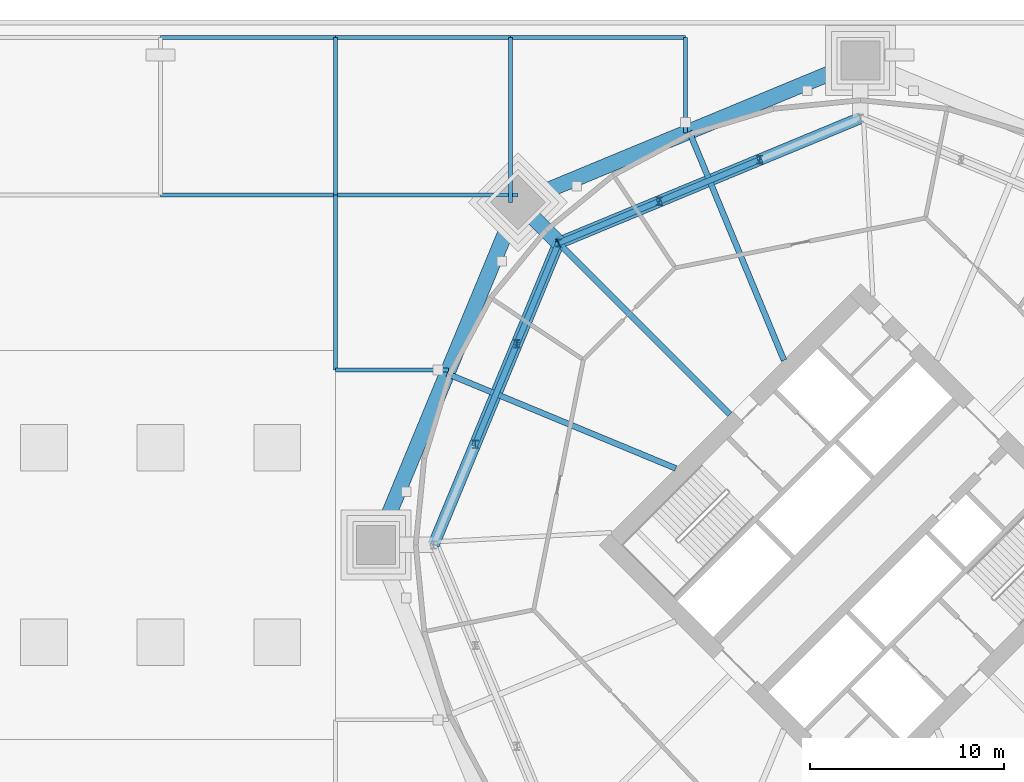
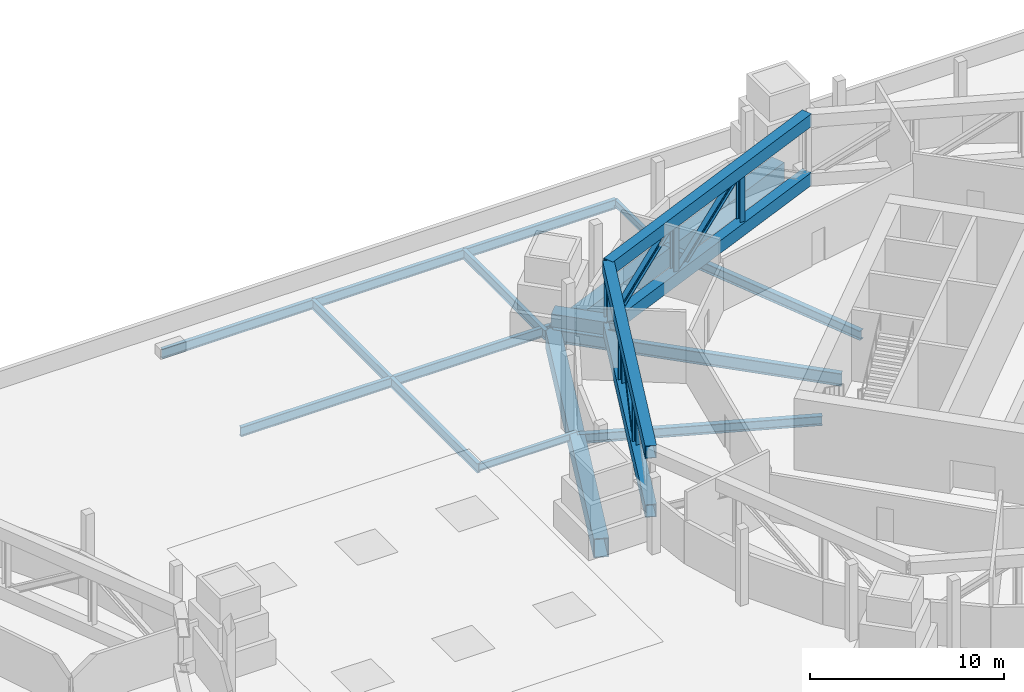
# One storey, part 8 of 21: 16 beams, 13 members.
"""IFC4 building model written with IfcOpenShell, lengths in metres."""

import ifcopenshell
import ifcopenshell.guid

model = None  # the IFC model being written
_history = None  # IfcOwnerHistory: only IFC2X3 demands one
_inside = {}  # id of a spatial element -> (the spatial element, [elements in it])
_under = {}  # id of a project, library or spatial element -> (it, [spatial elements below it])
_declared = {}  # id of a project -> (the project, [libraries it declares])
_typed = {}  # id of a type object -> (the type object, [elements of that type])
_made_of = {}  # id of a material, layer set ... -> (it, [elements and type objects made of it])


def new_model(schema):
    """Start an empty IFC model of exactly this schema.

    Asked for "IFC4X3", IfcOpenShell would pick the latest addendum, in which some entities
    have other attributes; the version numbers below select the first issue.
    IFC2X3 requires an IfcOwnerHistory on every rooted entity: one is made here for all.
    """
    global model, _history
    if schema == "IFC4X3":
        model = ifcopenshell.file(schema_version=(4, 3, 0, 0))
    else:
        model = ifcopenshell.file(schema=schema)
    _inside.clear()
    _under.clear()
    _declared.clear()
    _typed.clear()
    _made_of.clear()
    _history = None
    if model.schema == "IFC2X3":
        org = make("IfcOrganization", Name="unknown")
        user = make(
            "IfcPersonAndOrganization",
            ThePerson=make("IfcPerson", FamilyName="unknown"),
            TheOrganization=org,
        )
        app = make(
            "IfcApplication",
            ApplicationDeveloper=org,
            Version="unknown",
            ApplicationFullName="unknown",
            ApplicationIdentifier="unknown",
        )
        _history = make(
            "IfcOwnerHistory",
            OwningUser=user,
            OwningApplication=app,
            ChangeAction="ADDED",
            CreationDate=0,
        )
    return model


def make(cls, **values):
    """One entity of the class cls with the attributes given. An attribute that is None is left unset."""
    return model.create_entity(
        cls, **{name: value for name, value in values.items() if value is not None}
    )


def rooted(cls, **values):
    """An entity with a GlobalId (a new one), such as an element, a storey or a relation."""
    return make(cls, GlobalId=ifcopenshell.guid.new(), OwnerHistory=_history, **values)


def si_unit(unit_type, name, prefix=None):
    """IfcSIUnit, for example si_unit("LENGTHUNIT", "METRE", prefix="MILLI")."""
    return make("IfcSIUnit", UnitType=unit_type, Prefix=prefix, Name=name)


def assignment(units):
    """IfcUnitAssignment: the units of a project."""
    return None if units is None else make("IfcUnitAssignment", Units=units)


def point(xyz):
    """IfcCartesianPoint."""
    return None if xyz is None else make("IfcCartesianPoint", Coordinates=xyz)


def direction(xyz):
    """IfcDirection."""
    return None if xyz is None else make("IfcDirection", DirectionRatios=xyz)


def frame(location, z_axis=None, x_axis=None):
    """IfcAxis2Placement3D, a coordinate frame: its origin and axes. An axis left out is left unset."""
    return make(
        "IfcAxis2Placement3D",
        Location=point(location),
        Axis=direction(z_axis),
        RefDirection=direction(x_axis),
    )


def frame_2d(location, x_axis=None):
    """IfcAxis2Placement2D, a coordinate frame in the plane: its origin and x axis."""
    return make(
        "IfcAxis2Placement2D", Location=point(location), RefDirection=direction(x_axis)
    )


def origin():
    """The frame at (0, 0, 0) with its axes left unset."""
    return frame((0.0, 0.0, 0.0))


def origin_2d():
    """The frame at (0, 0) in the plane with its x axis left unset."""
    return frame_2d((0.0, 0.0))


def place(relative_to, where):
    """IfcLocalPlacement: puts the frame where relative to a parent placement (None: the world)."""
    return make(
        "IfcLocalPlacement", PlacementRelTo=relative_to, RelativePlacement=where
    )


def context(
    kind, dimensions, precision=None, world=None, true_north=None, identifier=None
):
    """IfcGeometricRepresentationContext, for example the 3D "Model" context."""
    return make(
        "IfcGeometricRepresentationContext",
        ContextIdentifier=identifier,
        ContextType=kind,
        CoordinateSpaceDimension=dimensions,
        Precision=precision,
        WorldCoordinateSystem=world,
        TrueNorth=true_north,
    )


def subcontext(parent, identifier, kind, view, scale=None):
    """IfcGeometricRepresentationSubContext, for example "Body" below "Model"."""
    return make(
        "IfcGeometricRepresentationSubContext",
        ContextIdentifier=identifier,
        ContextType=kind,
        ParentContext=parent,
        TargetScale=scale,
        TargetView=view,
    )


def project(units=None, contexts=None):
    """IfcProject with its units and contexts."""
    return rooted(
        "IfcProject",
        Name="project",
        RepresentationContexts=contexts,
        UnitsInContext=assignment(units),
    )


def spatial(cls, under=None, at=None, **own):
    """A site, building, storey or space (cls), placed at a placement, below another one or the project."""
    s = rooted(cls, ObjectPlacement=at, **own)
    if under is not None:
        _under.setdefault(under.id(), (under, []))[1].append(s)
    return s


def profile(cls, at=None, kind="AREA", **sizes):
    """A parametric profile (cls). Its sizes go by their IFC names, for example OverallWidth=200.0."""
    return make(cls, ProfileType=kind, Position=at, **sizes)


def hollow_rectangle(**sizes):
    """IfcRectangleHollowProfileDef."""
    return profile("IfcRectangleHollowProfileDef", **sizes)


def i_section(**sizes):
    """IfcIShapeProfileDef."""
    return profile("IfcIShapeProfileDef", **sizes)


def extrude(swept, where, along, depth):
    """IfcExtrudedAreaSolid: the profile swept, set in the frame where, extruded along a direction by depth."""
    return make(
        "IfcExtrudedAreaSolid",
        SweptArea=swept,
        Position=where,
        ExtrudedDirection=direction(along),
        Depth=depth,
    )


def shape(context_of_items, identifier, shape_type, items):
    """IfcShapeRepresentation: the items that make up one representation, for example the "Body"."""
    return make(
        "IfcShapeRepresentation",
        ContextOfItems=context_of_items,
        RepresentationIdentifier=identifier,
        RepresentationType=shape_type,
        Items=items,
    )


def material(Name=None, Category=None):
    """IfcMaterial."""
    return make("IfcMaterial", Name=Name, Category=Category)


def material_profile(
    of_material, cross_section, Name=None, Category=None, Priority=None
):
    """IfcMaterialProfile: a cross section and its material."""
    return make(
        "IfcMaterialProfile",
        Name=Name,
        Material=of_material,
        Profile=cross_section,
        Priority=Priority,
        Category=Category,
    )


def profile_set(profiles, Name=None, composite=None):
    """IfcMaterialProfileSet."""
    return make(
        "IfcMaterialProfileSet",
        Name=Name,
        MaterialProfiles=profiles,
        CompositeProfile=composite,
    )


def made_of(thing, what):
    """Note that an element or type object is made of a material, layer set ...; save() writes the relation."""
    if what is not None:
        _made_of.setdefault(what.id(), (what, []))[1].append(thing)
    return thing


def type_object(cls, material=None, **own):
    """A type object (cls), such as IfcWallType, which elements share."""
    return made_of(rooted(cls, **own), material)


def element(
    cls,
    number,
    at=None,
    inside=None,
    cuts=None,
    type_object=None,
    material=None,
    context=None,
    identifier="Body",
    shape_type=None,
    held_by="IfcProductDefinitionShape",
    body=None,
    shapes=None,
    **own,
):
    """One element of the class cls, such as IfcWall. Its Tag is "e" and its number.

    at: its placement. inside: the storey or other place that contains it. cuts: it is an
    opening in that element (IfcRelVoidsElement). A single representation is given by context,
    identifier, shape_type and body (its items); several are given by shapes. held_by: the class
    of the entity that holds the representations. save() writes the other relations.
    """
    e = rooted(cls, Tag="e%d" % number, ObjectPlacement=at, **own)
    if body is not None:
        shapes = [shape(context, identifier, shape_type, body)]
    if shapes is not None:
        e.Representation = make(held_by, Representations=shapes)
    if inside is not None:
        _inside.setdefault(inside.id(), (inside, []))[1].append(e)
    if cuts is not None:
        rooted(
            "IfcRelVoidsElement", RelatingBuildingElement=cuts, RelatedOpeningElement=e
        )
    if type_object is not None:
        _typed.setdefault(type_object.id(), (type_object, []))[1].append(e)
    return made_of(e, material)


def aggregate(whole, parts):
    """IfcRelAggregates: a whole, such as a stair, and the parts it consists of."""
    return rooted("IfcRelAggregates", RelatingObject=whole, RelatedObjects=parts)


def save(model, path):
    """Write the relations noted so far, then the file.

    IfcRelAggregates (storeys below a building ...), IfcRelContainedInSpatialStructure (elements
    in a storey), IfcRelDefinesByType, IfcRelAssociatesMaterial and IfcRelDeclares: one each for
    every whole, place, type object, material and project.
    """
    for whole, parts in _under.values():
        aggregate(whole, parts)
    for where, things in _inside.values():
        rooted(
            "IfcRelContainedInSpatialStructure",
            RelatedElements=things,
            RelatingStructure=where,
        )
    for kind, things in _typed.values():
        rooted("IfcRelDefinesByType", RelatedObjects=things, RelatingType=kind)
    for what, things in _made_of.values():
        rooted("IfcRelAssociatesMaterial", RelatedObjects=things, RelatingMaterial=what)
    for by, libraries in _declared.values():
        rooted("IfcRelDeclares", RelatingContext=by, RelatedDefinitions=libraries)
    model.write(path)


model = new_model("IFC4")

# Units and contexts
model_context = context("Model", 3, precision=1e-05, world=origin(), true_north=direction((0.0, 1.0)))
body_context = subcontext(model_context, "Body", "Model", "MODEL_VIEW")
ifc_project = project(units=[si_unit("LENGTHUNIT", "METRE"), si_unit("AREAUNIT", "SQUARE_METRE"), si_unit("VOLUMEUNIT", "CUBIC_METRE"), si_unit("PLANEANGLEUNIT", "RADIAN"), si_unit("MASSUNIT", "GRAM", prefix="KILO")], contexts=[model_context])

# Site, building, storey
site_placement = place(None, origin())
site = spatial("IfcSite", under=ifc_project, at=site_placement, CompositionType="ELEMENT")
building_placement = place(site_placement, origin())
building = spatial("IfcBuilding", under=site, at=building_placement, Name="Ogive Gate Towers", CompositionType="ELEMENT")
storey_placement = place(building_placement, frame((0.0, 0.0, 27.60009765625)))
storey = spatial("IfcBuildingStorey", under=building, at=storey_placement, Name="L05", CompositionType="ELEMENT", Elevation=27.60009765625)

# Beams
ifc_material_1 = material(Name="Steel SM460", Category="steel")
ifc_material_profile_1 = material_profile(ifc_material_1, hollow_rectangle(XDim=0.800048828125, YDim=1.199951171875, WallThickness=0.050048828125, at=origin_2d()), Name="BX 1200x800x50")
ifc_profile_set_1 = profile_set([ifc_material_profile_1], Name="Steel SM460")
beam_type_1 = type_object("IfcBeamType", Name="Edge girder BX 1200x800x50", PredefinedType="BEAM", material=ifc_profile_set_1)
for number, where, z_axis, x_axis, name in (
    (1, (36.0, 24.909912109375, -0.900146484375), (-0.923880736283, -0.382680526191, 0.0), (0.382680526191, -0.923880736283, 0.0), "T2/L05/SBM022"),
    (2, (18.385986328125, 17.614013671875, -0.900146484375), (-0.382680526191, -0.923880736283, 0.0), (0.923880736283, -0.382680526191, 0.0), "T2/L05/SBM023"),
):
    element("IfcBeam", number, at=place(storey_placement, frame(where, z_axis=z_axis, x_axis=x_axis)), inside=storey, type_object=beam_type_1, Name=name, PredefinedType="BEAM", context=body_context, shape_type="SweptSolid", body=[
        extrude(hollow_rectangle(XDim=0.800048828125, YDim=1.199951171875, WallThickness=0.050048828125, at=origin_2d()), origin(), (0.0, 0.0, 1.0), 19.065185546875),
    ])
ifc_material_2 = material(Name="Steel SM355", Category="steel")
ifc_material_profile_2 = material_profile(ifc_material_2, i_section(OverallWidth=0.18994140625, OverallDepth=0.449951171875, WebThickness=0.009521484375, FlangeThickness=0.0146484375, FilletRadius=0.02099609375, at=origin_2d()), Name="IPE 450")
ifc_profile_set_2 = profile_set([ifc_material_profile_2], Name="Steel SM355")
beam_type_2 = type_object("IfcBeamType", Name="Floor beam IPE 450", PredefinedType="BEAM", material=ifc_profile_set_2)
beam_1_placement = place(storey_placement, frame((9.0, 9.0, -0.525146484375), z_axis=(1.0, 0.0, 0.0), x_axis=(0.0, 1.0, 0.0)))
element("IfcBeam", 3, at=beam_1_placement, inside=storey, type_object=beam_type_2, Name="PD/L05/SBM060", PredefinedType="BEAM", context=body_context, shape_type="SweptSolid", body=[
    extrude(i_section(OverallWidth=0.18994140625, OverallDepth=0.449951171875, WebThickness=0.009521484375, FlangeThickness=0.0146484375, FilletRadius=0.02099609375, at=origin_2d()), origin(), (0.0, 0.0, 1.0), 5.81787109375),
])
beam_2_placement = place(storey_placement, frame((27.0, 26.10009765625, -0.525146484375), z_axis=(0.0, -1.0, 0.0), x_axis=(1.0, 0.0, 0.0)))
element("IfcBeam", 4, at=beam_2_placement, inside=storey, type_object=beam_type_2, Name="PD/L05/SBM062", PredefinedType="BEAM", context=body_context, shape_type="SweptSolid", body=[
    extrude(i_section(OverallWidth=0.18994140625, OverallDepth=0.449951171875, WebThickness=0.009521484375, FlangeThickness=0.0146484375, FilletRadius=0.02099609375, at=origin_2d()), origin(), (0.0, 0.0, 1.0), 4.91796875),
])
ifc_material_profile_3 = material_profile(ifc_material_2, i_section(OverallWidth=0.219970703125, OverallDepth=0.60009765625, WebThickness=0.011962890625, FlangeThickness=0.01904296875, FilletRadius=0.02392578125, at=origin_2d()), Name="IPE 600")
ifc_profile_set_3 = profile_set([ifc_material_profile_3], Name="Steel SM355")
beam_type_3 = type_object("IfcBeamType", Name="Floor beam IPE 600", PredefinedType="BEAM", material=ifc_profile_set_3)
beam_3_placement = place(storey_placement, frame((9.0, 9.0, -0.60009765625), z_axis=(0.0, 1.0, 0.0), x_axis=(-1.0, 0.0, 0.0)))
element("IfcBeam", 5, at=beam_3_placement, inside=storey, type_object=beam_type_3, Name="PD/L05/SBM013", PredefinedType="BEAM", context=body_context, shape_type="SweptSolid", body=[
    extrude(i_section(OverallWidth=0.219970703125, OverallDepth=0.60009765625, WebThickness=0.011962890625, FlangeThickness=0.01904296875, FilletRadius=0.02392578125, at=origin_2d()), origin(), (0.0, 0.0, 1.0), 9.0),
])
beam_4_placement = place(storey_placement, frame((9.0, 18.0, -0.60009765625), z_axis=(0.0, 1.0, 0.0), x_axis=(-1.0, 0.0, 0.0)))
element("IfcBeam", 6, at=beam_4_placement, inside=storey, type_object=beam_type_3, Name="PD/L05/SBM014", PredefinedType="BEAM", context=body_context, shape_type="SweptSolid", body=[
    extrude(i_section(OverallWidth=0.219970703125, OverallDepth=0.60009765625, WebThickness=0.011962890625, FlangeThickness=0.01904296875, FilletRadius=0.02392578125, at=origin_2d()), origin(), (0.0, 0.0, 1.0), 8.10009765625),
])
beam_5_placement = place(storey_placement, frame((18.0, 17.614013671875, -0.60009765625), z_axis=(0.0, 1.0, 0.0), x_axis=(-1.0, 0.0, 0.0)))
element("IfcBeam", 7, at=beam_5_placement, inside=storey, type_object=beam_type_3, Name="PD/L05/SBM016", PredefinedType="BEAM", context=body_context, shape_type="SweptSolid", body=[
    extrude(i_section(OverallWidth=0.219970703125, OverallDepth=0.60009765625, WebThickness=0.011962890625, FlangeThickness=0.01904296875, FilletRadius=0.02392578125, at=origin_2d()), origin(), (0.0, 0.0, 1.0), 8.486083984375),
])
beam_6_placement = place(storey_placement, frame((0.0, 18.0, -0.60009765625), z_axis=(1.0, 0.0, 0.0), x_axis=(0.0, 1.0, 0.0)))
element("IfcBeam", 8, at=beam_6_placement, inside=storey, type_object=beam_type_3, Name="PD/L05/SBM028", PredefinedType="BEAM", context=body_context, shape_type="SweptSolid", body=[
    extrude(i_section(OverallWidth=0.219970703125, OverallDepth=0.60009765625, WebThickness=0.011962890625, FlangeThickness=0.01904296875, FilletRadius=0.02392578125, at=origin_2d()), origin(), (0.0, 0.0, 1.0), 9.0),
])
beam_7_placement = place(storey_placement, frame((9.0, 18.0, -0.60009765625), z_axis=(1.0, 0.0, 0.0), x_axis=(0.0, 1.0, 0.0)))
element("IfcBeam", 9, at=beam_7_placement, inside=storey, type_object=beam_type_3, Name="PD/L05/SBM029", PredefinedType="BEAM", context=body_context, shape_type="SweptSolid", body=[
    extrude(i_section(OverallWidth=0.219970703125, OverallDepth=0.60009765625, WebThickness=0.011962890625, FlangeThickness=0.01904296875, FilletRadius=0.02392578125, at=origin_2d()), origin(), (0.0, 0.0, 1.0), 9.385986328125),
])
for number, where, z_axis, x_axis, name in (
    (10, (0.0, 26.10009765625, -0.60009765625), (1.0, 0.0, 0.0), (0.0, 1.0, 0.0), "PD/L05/SBM045"),
    (11, (9.0, 26.10009765625, -0.60009765625), (1.0, 0.0, 0.0), (0.0, 1.0, 0.0), "PD/L05/SBM046"),
    (12, (18.0, 26.10009765625, -0.60009765625), (1.0, 0.0, 0.0), (0.0, 1.0, 0.0), "PD/L05/SBM047"),
):
    element("IfcBeam", number, at=place(storey_placement, frame(where, z_axis=z_axis, x_axis=x_axis)), inside=storey, type_object=beam_type_3, Name=name, PredefinedType="BEAM", context=body_context, shape_type="SweptSolid", body=[
        extrude(i_section(OverallWidth=0.219970703125, OverallDepth=0.60009765625, WebThickness=0.011962890625, FlangeThickness=0.01904296875, FilletRadius=0.02392578125, at=origin_2d()), origin(), (0.0, 0.0, 1.0), 9.0),
    ])
ifc_material_profile_4 = material_profile(ifc_material_1, hollow_rectangle(XDim=0.800048828125, YDim=0.800048828125, WallThickness=0.050048828125, at=origin_2d()), Name="BX 800x800x50")
ifc_profile_set_4 = profile_set([ifc_material_profile_4], Name="Steel SM460")
beam_type_4 = type_object("IfcBeamType", Name="Node arm BX 800x800x50", PredefinedType="BEAM", material=ifc_profile_set_4)
beam_8_placement = place(storey_placement, frame((20.471923828125, 15.528076171875, 0.449951171875), z_axis=(-0.707106781187, 0.707106781187, 0.0), x_axis=(-0.707106781187, -0.707106781187, 0.0)))
element("IfcBeam", 13, at=beam_8_placement, inside=storey, type_object=beam_type_4, Name="T2/L05/SBM028", PredefinedType="BEAM", context=body_context, shape_type="SweptSolid", body=[
    extrude(hollow_rectangle(XDim=0.800048828125, YDim=0.800048828125, WallThickness=0.050048828125, at=origin_2d()), origin(), (0.0, 0.0, 1.0), 2.949951171875),
])
ifc_material_profile_5 = material_profile(ifc_material_2, i_section(OverallWidth=0.300048828125, OverallDepth=0.590087890625, WebThickness=0.012939453125, FlangeThickness=0.02490234375, FilletRadius=0.027099609375, at=origin_2d()), Name="HE 600 A")
ifc_profile_set_5 = profile_set([ifc_material_profile_5], Name="Steel SM355")
beam_type_5 = type_object("IfcBeamType", Name="Radial floor beam HE 600 A", PredefinedType="BEAM", material=ifc_profile_set_5)
for number, where, z_axis, x_axis, name in (
    (14, (32.06494140625, 9.5, -0.59521484375), (-0.382690523214, 0.923876595354, 0.0), (-0.923876595354, -0.382690523214, 0.0), "T2/L05/SBM012"),
    (15, (26.5, 3.93505859375, -0.59521484375), (-0.923876595354, 0.382690523214, 0.0), (-0.382690523214, -0.923876595354, 0.0), "T2/L05/SBM014"),
):
    element("IfcBeam", number, at=place(storey_placement, frame(where, z_axis=z_axis, x_axis=x_axis)), inside=storey, type_object=beam_type_5, Name=name, PredefinedType="BEAM", context=body_context, shape_type="SweptSolid", body=[
        extrude(i_section(OverallWidth=0.300048828125, OverallDepth=0.590087890625, WebThickness=0.012939453125, FlangeThickness=0.02490234375, FilletRadius=0.027099609375, at=origin_2d()), origin(), (0.0, 0.0, 1.0), 12.731201171875),
    ])
ifc_material_profile_6 = material_profile(ifc_material_2, i_section(OverallWidth=0.300048828125, OverallDepth=0.7900390625, WebThickness=0.014892578125, FlangeThickness=0.028076171875, FilletRadius=0.030029296875, at=origin_2d()), Name="HE 800 A")
ifc_profile_set_6 = profile_set([ifc_material_profile_6], Name="Steel SM355")
beam_type_6 = type_object("IfcBeamType", Name="Radial floor beam HE 800 A", PredefinedType="BEAM", material=ifc_profile_set_6)
beam_9_placement = place(storey_placement, frame((29.282470703125, 6.717529296875, -0.695068359375), z_axis=(-0.707106781187, 0.707106781187, 0.0), x_axis=(-0.707106781187, -0.707106781187, 0.0)))
element("IfcBeam", 16, at=beam_9_placement, inside=storey, type_object=beam_type_6, Name="T2/L05/SBM013", PredefinedType="BEAM", context=body_context, shape_type="SweptSolid", body=[
    extrude(i_section(OverallWidth=0.300048828125, OverallDepth=0.7900390625, WebThickness=0.014892578125, FlangeThickness=0.028076171875, FilletRadius=0.030029296875, at=origin_2d()), origin(), (0.0, 0.0, 1.0), 15.409912109375),
])

# Members
ifc_material_profile_7 = material_profile(ifc_material_1, hollow_rectangle(XDim=0.60009765625, YDim=0.800048828125, WallThickness=0.0400390625, at=origin_2d()), Name="BX 800x600x40")
ifc_profile_set_7 = profile_set([ifc_material_profile_7], Name="Steel SM460")
member_type_1 = type_object("IfcMemberType", Name="Truss chord BX 800x600x40", PredefinedType="CHORD", material=ifc_profile_set_7)
for number, where, z_axis, x_axis, name in (
    (17, (36.0, 21.9599609375, 0.39990234375), (-0.923880689089, -0.382680640128, 0.0), (0.382680640128, -0.923880689089, 0.0), "T2/L05/STR018"),
    (18, (36.0, 21.9599609375, 4.099853515625), (-0.923880689089, -0.382680640128, 0.0), (0.382680640128, -0.923880689089, 0.0), "T2/L05/STR019"),
    (19, (20.471923828125, 15.528076171875, 0.39990234375), (-0.382680640128, -0.923880689089, 0.0), (0.923880689089, -0.382680640128, 0.0), "T2/L05/STR026"),
    (20, (20.471923828125, 15.528076171875, 4.099853515625), (-0.382680640128, -0.923880689089, 0.0), (0.923880689089, -0.382680640128, 0.0), "T2/L05/STR027"),
):
    element("IfcMember", number, at=place(storey_placement, frame(where, z_axis=z_axis, x_axis=x_axis)), inside=storey, type_object=member_type_1, Name=name, PredefinedType="CHORD", context=body_context, shape_type="SweptSolid", body=[
        extrude(hollow_rectangle(XDim=0.60009765625, YDim=0.800048828125, WallThickness=0.0400390625, at=origin_2d()), origin(), (0.0, 0.0, 1.0), 16.807373046875),
    ])
ifc_material_profile_8 = material_profile(ifc_material_1, i_section(OverallWidth=0.300048828125, OverallDepth=0.39990234375, WebThickness=0.013427734375, FlangeThickness=0.02392578125, FilletRadius=0.027099609375, at=origin_2d()), Name="HE 400 B")
ifc_profile_set_8 = profile_set([ifc_material_profile_8], Name="Steel SM460")
member_type_2 = type_object("IfcMemberType", Name="Truss diagonal HE 400 B", PredefinedType="BRACE", material=ifc_profile_set_8)
member_1_placement = place(storey_placement, frame((30.823974609375, 19.81591796875, 4.099853515625), z_axis=(-0.770939140771, -0.319306475879, -0.551086395848), x_axis=(0.382655842662, -0.923890960058, 0.0)))
element("IfcMember", 21, at=member_1_placement, inside=storey, type_object=member_type_2, Name="T2/L05/STR021", PredefinedType="BRACE", context=body_context, shape_type="SweptSolid", body=[
    extrude(i_section(OverallWidth=0.300048828125, OverallDepth=0.39990234375, WebThickness=0.013427734375, FlangeThickness=0.02392578125, FilletRadius=0.027099609375, at=origin_2d()), origin(), (0.0, 0.0, 1.0), 6.7138671875),
])
for number, where, z_axis, x_axis, name in (
    (22, (25.64794921875, 17.672119140625, 4.099853515625), (-0.770930189005, -0.319339131165, -0.551079996904), (0.382693038551, -0.92387555344, 0.0), "T2/L05/STR022"),
    (23, (20.471923828125, 15.528076171875, 0.39990234375), (-0.319339131165, -0.770930189005, 0.551079996904), (0.92387555344, -0.382693038551, 0.0), "T2/L05/STR028"),
):
    element("IfcMember", number, at=place(storey_placement, frame(where, z_axis=z_axis, x_axis=x_axis)), inside=storey, type_object=member_type_2, Name=name, PredefinedType="BRACE", context=body_context, shape_type="SweptSolid", body=[
        extrude(i_section(OverallWidth=0.300048828125, OverallDepth=0.39990234375, WebThickness=0.013427734375, FlangeThickness=0.02392578125, FilletRadius=0.027099609375, at=origin_2d()), origin(), (0.0, 0.0, 1.0), 6.714111328125),
    ])
member_2_placement = place(storey_placement, frame((18.327880859375, 10.35205078125, 4.099853515625), z_axis=(-0.319306475879, -0.770939140771, -0.551086395848), x_axis=(0.923890960058, -0.382655842662, 0.0)))
element("IfcMember", 24, at=member_2_placement, inside=storey, type_object=member_type_2, Name="T2/L05/STR029", PredefinedType="BRACE", context=body_context, shape_type="SweptSolid", body=[
    extrude(i_section(OverallWidth=0.300048828125, OverallDepth=0.39990234375, WebThickness=0.013427734375, FlangeThickness=0.02392578125, FilletRadius=0.027099609375, at=origin_2d()), origin(), (0.0, 0.0, 1.0), 6.7138671875),
])
ifc_material_profile_9 = material_profile(ifc_material_1, i_section(OverallWidth=0.300048828125, OverallDepth=0.39990234375, WebThickness=0.013427734375, FlangeThickness=0.02392578125, FilletRadius=0.027099609375, at=origin_2d()), Name="HE 400 B")
ifc_profile_set_9 = profile_set([ifc_material_profile_9], Name="Steel SM460")
member_type_3 = type_object("IfcMemberType", Name="Truss post HE 400 B", PredefinedType="POST", material=ifc_profile_set_9)
for number, where, z_axis, x_axis, name in (
    (25, (30.823974609375, 19.81591796875, 0.39990234375), (0.0, 0.0, 1.0), (1.0, 0.0, 0.0), "T2/L05/STR023"),
    (26, (25.64794921875, 17.672119140625, 0.39990234375), (0.0, 0.0, 1.0), (1.0, 0.0, 0.0), "T2/L05/STR024"),
    (27, (20.471923828125, 15.528076171875, 0.39990234375), (0.0, 0.0, 1.0), (1.0, 0.0, 0.0), "T2/L05/STR025"),
    (28, (18.327880859375, 10.35205078125, 0.39990234375), (0.0, 0.0, 1.0), (1.0, 0.0, 0.0), "T2/L05/STR031"),
    (29, (16.18408203125, 5.176025390625, 0.39990234375), (0.0, 0.0, 1.0), (1.0, 0.0, 0.0), "T2/L05/STR032"),
):
    element("IfcMember", number, at=place(storey_placement, frame(where, z_axis=z_axis, x_axis=x_axis)), inside=storey, type_object=member_type_3, Name=name, PredefinedType="POST", context=body_context, shape_type="SweptSolid", body=[
        extrude(i_section(OverallWidth=0.300048828125, OverallDepth=0.39990234375, WebThickness=0.013427734375, FlangeThickness=0.02392578125, FilletRadius=0.027099609375, at=origin_2d()), origin(), (0.0, 0.0, 1.0), 3.699951171875),
    ])

save(model, "model.ifc")
